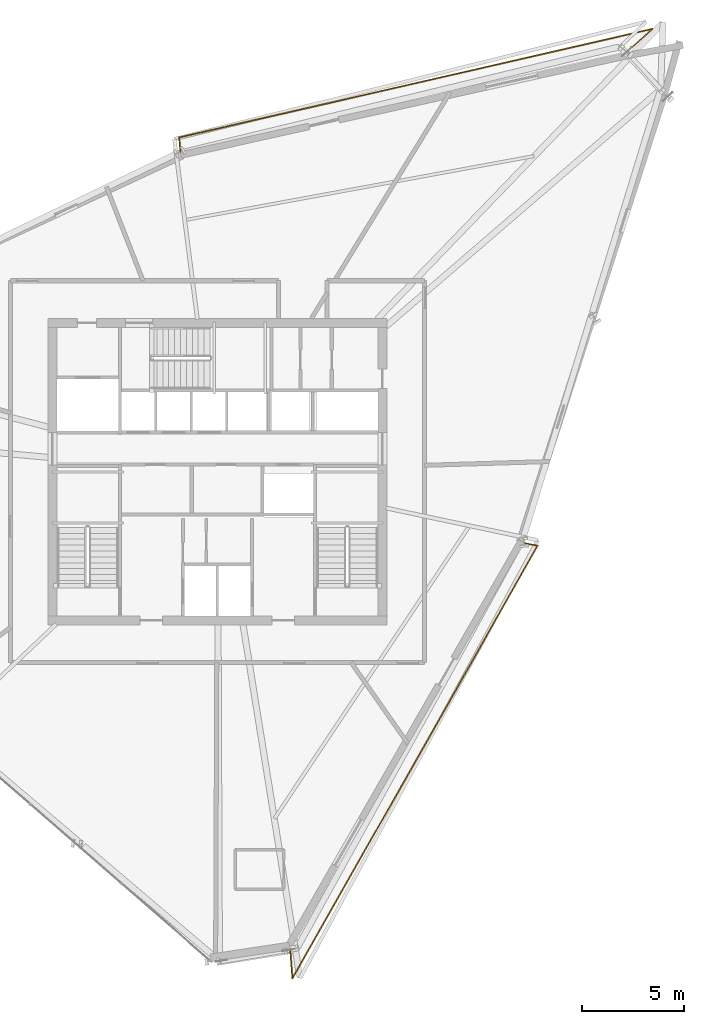
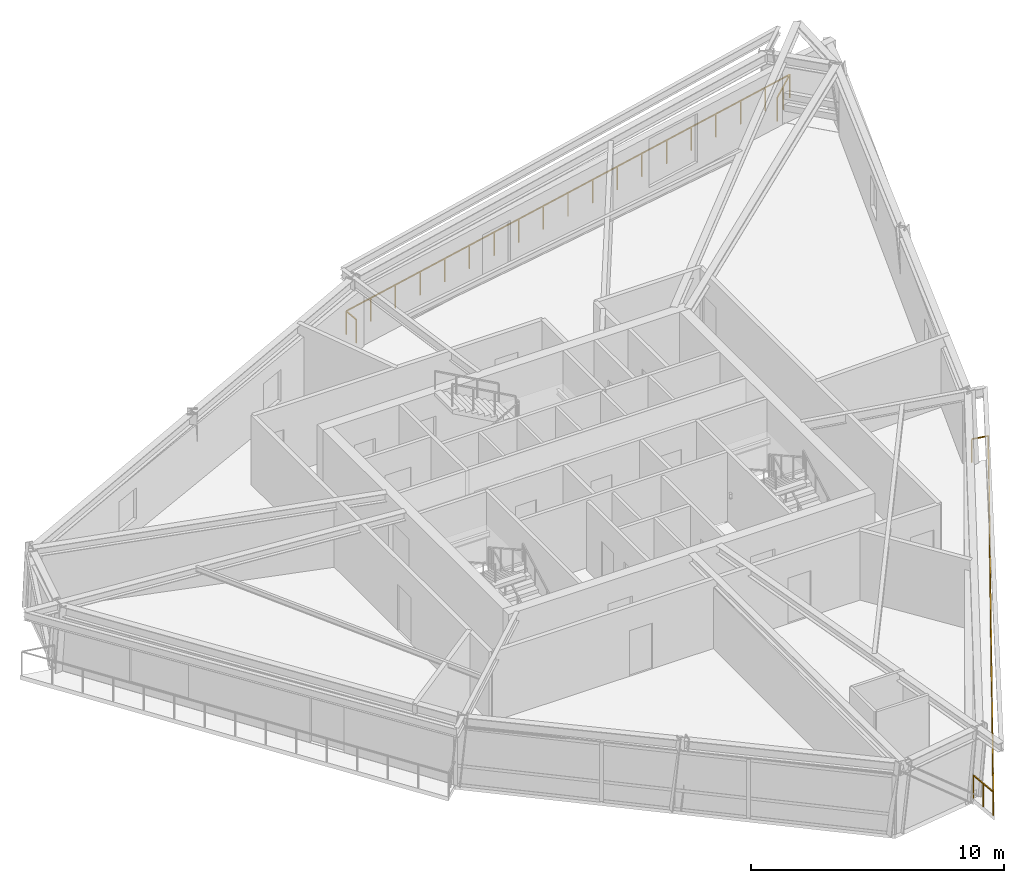
# One storey, part 13 of 13: 2 railings.
"""IFC4 building model written with IfcOpenShell, lengths in metres."""

from ifc_helpers import new_model, si_unit, direction, frame, origin, origin_2d, place, context, subcontext, project, spatial, rectangle, extrude, material, type_object, element, save


model = new_model("IFC4")

# Units and contexts
model_context = context("Model", 3, precision=1e-05, world=origin(), true_north=direction((0.0, 1.0)))
body_context = subcontext(model_context, "Body", "Model", "MODEL_VIEW")
ifc_project = project(units=[si_unit("LENGTHUNIT", "METRE"), si_unit("AREAUNIT", "SQUARE_METRE"), si_unit("VOLUMEUNIT", "CUBIC_METRE"), si_unit("PLANEANGLEUNIT", "RADIAN"), si_unit("MASSUNIT", "GRAM", prefix="KILO")], contexts=[model_context])

# Site, building, storey
site_placement = place(None, origin())
site = spatial("IfcSite", under=ifc_project, at=site_placement, CompositionType="ELEMENT")
building_placement = place(site_placement, origin())
building = spatial("IfcBuilding", under=site, at=building_placement, Name="Olszyna Solenne Hotel", CompositionType="ELEMENT")
storey_placement = place(building_placement, frame((0.0, 0.0, 209.60009765625)))
storey = spatial("IfcBuildingStorey", under=building, at=storey_placement, Name="L55", CompositionType="ELEMENT", Elevation=209.60009765625)

# Railings
ifc_material = material(Name="Anodised bronze aluminium", Category="aluminium")
railing_type = type_object("IfcRailingType", Name="GR-110", PredefinedType="BALUSTRADE", material=ifc_material)
railing_1_placement = place(storey_placement, frame((58.170166015625, 47.2529296875, 0.0)))
element("IfcRailing", 1, at=railing_1_placement, inside=storey, type_object=railing_type, Name="Loggia balcony balustrade guard GR-L55-LG1", PredefinedType="BALUSTRADE", context=body_context, shape_type="SweptSolid", body=[
    extrude(rectangle(XDim=0.048095703125, YDim=0.048095703125, at=origin_2d()), frame((0.0, 0.0, 1.1259765625), z_axis=(0.73461532334, 0.678483844107, 0.0), x_axis=(-0.678483844107, 0.73461532334, 0.0)), (0.0, 0.0, 1.0), 1.69189453125),
    extrude(rectangle(XDim=0.048095703125, YDim=0.048095703125, at=origin_2d()), frame((1.242919921875, 1.14794921875, 1.1259765625), z_axis=(-0.974688146595, -0.223568819131, 0.0), x_axis=(0.223568819131, -0.974688146595, 0.0)), (0.0, 0.0, 1.0), 23.903076171875),
    extrude(rectangle(XDim=0.048095703125, YDim=0.048095703125, at=origin_2d()), frame((-22.05517578125, -4.196044921875, 1.1259765625), z_axis=(0.077433360111, -0.996997529958, 0.0), x_axis=(0.996997529958, 0.077433360111, 0.0)), (0.0, 0.0, 1.0), 0.70947265625),
    extrude(rectangle(XDim=0.0419921875, YDim=0.0419921875, at=origin_2d()), origin(), (0.0, 0.0, 1.0), 1.101806640625),
    extrude(rectangle(XDim=0.0419921875, YDim=0.0419921875, at=origin_2d()), frame((0.62158203125, 0.573974609375, 0.0)), (0.0, 0.0, 1.0), 1.101806640625),
    extrude(rectangle(XDim=0.0419921875, YDim=0.0419921875, at=origin_2d()), frame((1.242919921875, 1.14794921875, 0.0)), (0.0, 0.0, 1.0), 1.101806640625),
    extrude(rectangle(XDim=0.0419921875, YDim=0.0419921875, at=origin_2d()), frame((-0.051513671875, 0.85107421875, 0.0)), (0.0, 0.0, 1.0), 1.101806640625),
    extrude(rectangle(XDim=0.0419921875, YDim=0.0419921875, at=origin_2d()), frame((-1.345703125, 0.55419921875, 0.0)), (0.0, 0.0, 1.0), 1.101806640625),
    extrude(rectangle(XDim=0.0419921875, YDim=0.0419921875, at=origin_2d()), frame((-2.64013671875, 0.25732421875, 0.0)), (0.0, 0.0, 1.0), 1.101806640625),
    extrude(rectangle(XDim=0.0419921875, YDim=0.0419921875, at=origin_2d()), frame((-3.934326171875, -0.03955078125, 0.0)), (0.0, 0.0, 1.0), 1.101806640625),
    extrude(rectangle(XDim=0.0419921875, YDim=0.0419921875, at=origin_2d()), frame((-5.228759765625, -0.33642578125, 0.0)), (0.0, 0.0, 1.0), 1.101806640625),
    extrude(rectangle(XDim=0.0419921875, YDim=0.0419921875, at=origin_2d()), frame((-6.523193359375, -0.63330078125, 0.0)), (0.0, 0.0, 1.0), 1.101806640625),
    extrude(rectangle(XDim=0.0419921875, YDim=0.0419921875, at=origin_2d()), frame((-7.8173828125, -0.93017578125, 0.0)), (0.0, 0.0, 1.0), 1.101806640625),
    extrude(rectangle(XDim=0.0419921875, YDim=0.0419921875, at=origin_2d()), frame((-9.11181640625, -1.22705078125, 0.0)), (0.0, 0.0, 1.0), 1.101806640625),
    extrude(rectangle(XDim=0.0419921875, YDim=0.0419921875, at=origin_2d()), frame((-10.40625, -1.52392578125, 0.0)), (0.0, 0.0, 1.0), 1.101806640625),
    extrude(rectangle(XDim=0.0419921875, YDim=0.0419921875, at=origin_2d()), frame((-11.700439453125, -1.821044921875, 0.0)), (0.0, 0.0, 1.0), 1.101806640625),
    extrude(rectangle(XDim=0.0419921875, YDim=0.0419921875, at=origin_2d()), frame((-12.994873046875, -2.117919921875, 0.0)), (0.0, 0.0, 1.0), 1.101806640625),
    extrude(rectangle(XDim=0.0419921875, YDim=0.0419921875, at=origin_2d()), frame((-14.2890625, -2.414794921875, 0.0)), (0.0, 0.0, 1.0), 1.101806640625),
    extrude(rectangle(XDim=0.0419921875, YDim=0.0419921875, at=origin_2d()), frame((-15.58349609375, -2.711669921875, 0.0)), (0.0, 0.0, 1.0), 1.101806640625),
    extrude(rectangle(XDim=0.0419921875, YDim=0.0419921875, at=origin_2d()), frame((-16.8779296875, -3.008544921875, 0.0)), (0.0, 0.0, 1.0), 1.101806640625),
    extrude(rectangle(XDim=0.0419921875, YDim=0.0419921875, at=origin_2d()), frame((-18.172119140625, -3.305419921875, 0.0)), (0.0, 0.0, 1.0), 1.101806640625),
    extrude(rectangle(XDim=0.0419921875, YDim=0.0419921875, at=origin_2d()), frame((-19.466552734375, -3.602294921875, 0.0)), (0.0, 0.0, 1.0), 1.101806640625),
    extrude(rectangle(XDim=0.0419921875, YDim=0.0419921875, at=origin_2d()), frame((-20.7607421875, -3.899169921875, 0.0)), (0.0, 0.0, 1.0), 1.101806640625),
    extrude(rectangle(XDim=0.0419921875, YDim=0.0419921875, at=origin_2d()), frame((-22.05517578125, -4.196044921875, 0.0)), (0.0, 0.0, 1.0), 1.101806640625),
    extrude(rectangle(XDim=0.0419921875, YDim=0.0419921875, at=origin_2d()), frame((-22.000244140625, -4.9033203125, 0.0)), (0.0, 0.0, 1.0), 1.101806640625),
])
railing_2_placement = place(storey_placement, frame((41.57958984375, 3.0546875, 0.0)))
element("IfcRailing", 2, at=railing_2_placement, inside=storey, type_object=railing_type, Name="Loggia balcony balustrade guard GR-L55-LG3", PredefinedType="BALUSTRADE", context=body_context, shape_type="SweptSolid", body=[
    extrude(rectangle(XDim=0.048095703125, YDim=0.048095703125, at=origin_2d()), frame((0.0, 0.0, 1.1259765625), z_axis=(0.077617714617, -0.996983194631, 0.0), x_axis=(0.996983194631, 0.077617714617, 0.0)), (0.0, 0.0, 1.0), 1.418701171875),
    extrude(rectangle(XDim=0.048095703125, YDim=0.048095703125, at=origin_2d()), frame((0.110107421875, -1.414306640625, 1.1259765625), z_axis=(0.493089771719, 0.869978434805, 0.0), x_axis=(-0.869978434805, 0.493089771719, 0.0)), (0.0, 0.0, 1.0), 24.495849609375),
    extrude(rectangle(XDim=0.048095703125, YDim=0.048095703125, at=origin_2d()), frame((12.188720703125, 19.896484375, 1.1259765625), z_axis=(-0.981148273046, 0.193256478024, 0.0), x_axis=(-0.193256478024, -0.981148273046, 0.0)), (0.0, 0.0, 1.0), 0.689697265625),
    extrude(rectangle(XDim=0.0419921875, YDim=0.0419921875, at=origin_2d()), origin(), (0.0, 0.0, 1.0), 1.101806640625),
    extrude(rectangle(XDim=0.0419921875, YDim=0.0419921875, at=origin_2d()), frame((0.05517578125, -0.70703125, 0.0)), (0.0, 0.0, 1.0), 1.101806640625),
    extrude(rectangle(XDim=0.0419921875, YDim=0.0419921875, at=origin_2d()), frame((0.110107421875, -1.414306640625, 0.0)), (0.0, 0.0, 1.0), 1.101806640625),
    extrude(rectangle(XDim=0.0419921875, YDim=0.0419921875, at=origin_2d()), frame((0.78125, -0.23046875, 0.0)), (0.0, 0.0, 1.0), 1.101806640625),
    extrude(rectangle(XDim=0.0419921875, YDim=0.0419921875, at=origin_2d()), frame((1.4521484375, 0.95361328125, 0.0)), (0.0, 0.0, 1.0), 1.101806640625),
    extrude(rectangle(XDim=0.0419921875, YDim=0.0419921875, at=origin_2d()), frame((2.123291015625, 2.137451171875, 0.0)), (0.0, 0.0, 1.0), 1.101806640625),
    extrude(rectangle(XDim=0.0419921875, YDim=0.0419921875, at=origin_2d()), frame((2.794189453125, 3.321533203125, 0.0)), (0.0, 0.0, 1.0), 1.101806640625),
    extrude(rectangle(XDim=0.0419921875, YDim=0.0419921875, at=origin_2d()), frame((3.46533203125, 4.50537109375, 0.0)), (0.0, 0.0, 1.0), 1.101806640625),
    extrude(rectangle(XDim=0.0419921875, YDim=0.0419921875, at=origin_2d()), frame((4.13623046875, 5.689208984375, 0.0)), (0.0, 0.0, 1.0), 1.101806640625),
    extrude(rectangle(XDim=0.0419921875, YDim=0.0419921875, at=origin_2d()), frame((4.807373046875, 6.873291015625, 0.0)), (0.0, 0.0, 1.0), 1.101806640625),
    extrude(rectangle(XDim=0.0419921875, YDim=0.0419921875, at=origin_2d()), frame((5.478271484375, 8.05712890625, 0.0)), (0.0, 0.0, 1.0), 1.101806640625),
    extrude(rectangle(XDim=0.0419921875, YDim=0.0419921875, at=origin_2d()), frame((6.1494140625, 9.2412109375, 0.0)), (0.0, 0.0, 1.0), 1.101806640625),
    extrude(rectangle(XDim=0.0419921875, YDim=0.0419921875, at=origin_2d()), frame((6.820556640625, 10.425048828125, 0.0)), (0.0, 0.0, 1.0), 1.101806640625),
    extrude(rectangle(XDim=0.0419921875, YDim=0.0419921875, at=origin_2d()), frame((7.491455078125, 11.60888671875, 0.0)), (0.0, 0.0, 1.0), 1.101806640625),
    extrude(rectangle(XDim=0.0419921875, YDim=0.0419921875, at=origin_2d()), frame((8.16259765625, 12.79296875, 0.0)), (0.0, 0.0, 1.0), 1.101806640625),
    extrude(rectangle(XDim=0.0419921875, YDim=0.0419921875, at=origin_2d()), frame((8.83349609375, 13.976806640625, 0.0)), (0.0, 0.0, 1.0), 1.101806640625),
    extrude(rectangle(XDim=0.0419921875, YDim=0.0419921875, at=origin_2d()), frame((9.504638671875, 15.16064453125, 0.0)), (0.0, 0.0, 1.0), 1.101806640625),
    extrude(rectangle(XDim=0.0419921875, YDim=0.0419921875, at=origin_2d()), frame((10.175537109375, 16.3447265625, 0.0)), (0.0, 0.0, 1.0), 1.101806640625),
    extrude(rectangle(XDim=0.0419921875, YDim=0.0419921875, at=origin_2d()), frame((10.8466796875, 17.528564453125, 0.0)), (0.0, 0.0, 1.0), 1.101806640625),
    extrude(rectangle(XDim=0.0419921875, YDim=0.0419921875, at=origin_2d()), frame((11.517578125, 18.712646484375, 0.0)), (0.0, 0.0, 1.0), 1.101806640625),
    extrude(rectangle(XDim=0.0419921875, YDim=0.0419921875, at=origin_2d()), frame((12.188720703125, 19.896484375, 0.0)), (0.0, 0.0, 1.0), 1.101806640625),
    extrude(rectangle(XDim=0.0419921875, YDim=0.0419921875, at=origin_2d()), frame((11.511962890625, 20.02978515625, 0.0)), (0.0, 0.0, 1.0), 1.101806640625),
])

save(model, "model.ifc")
